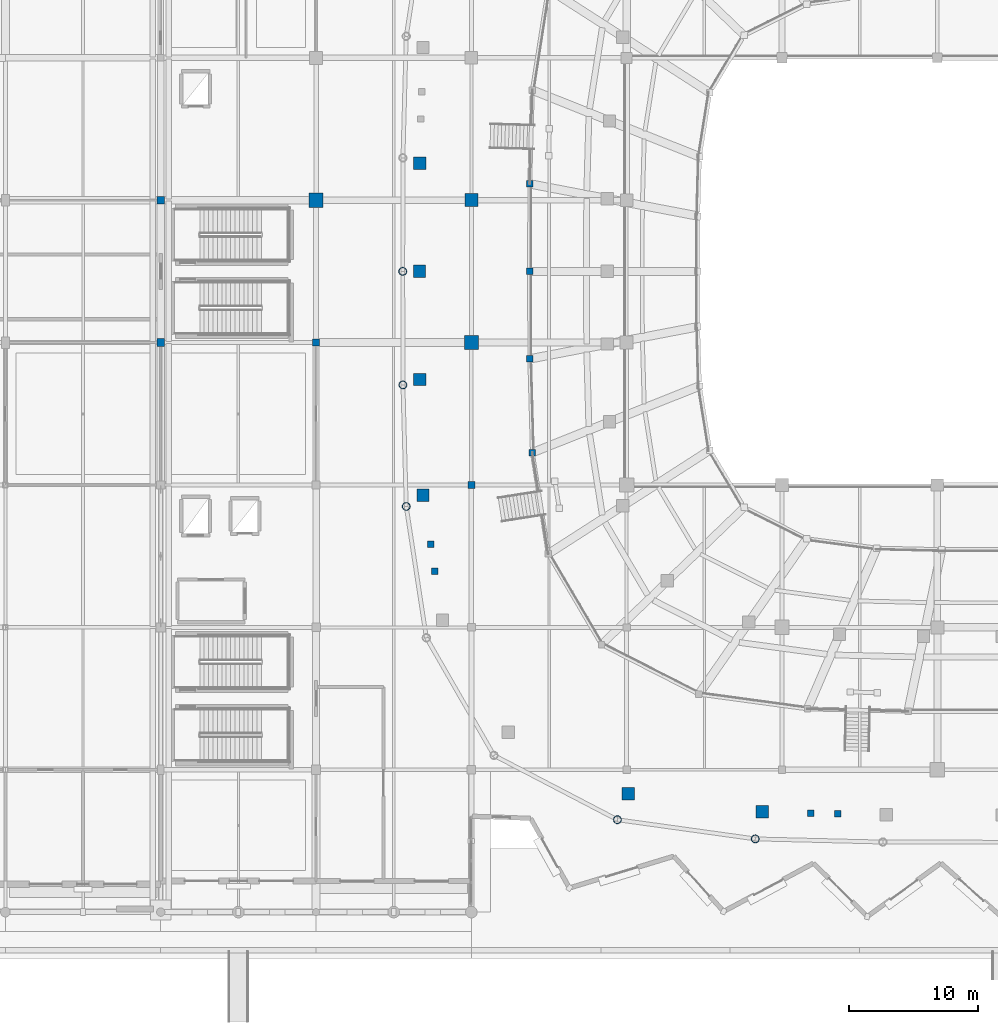
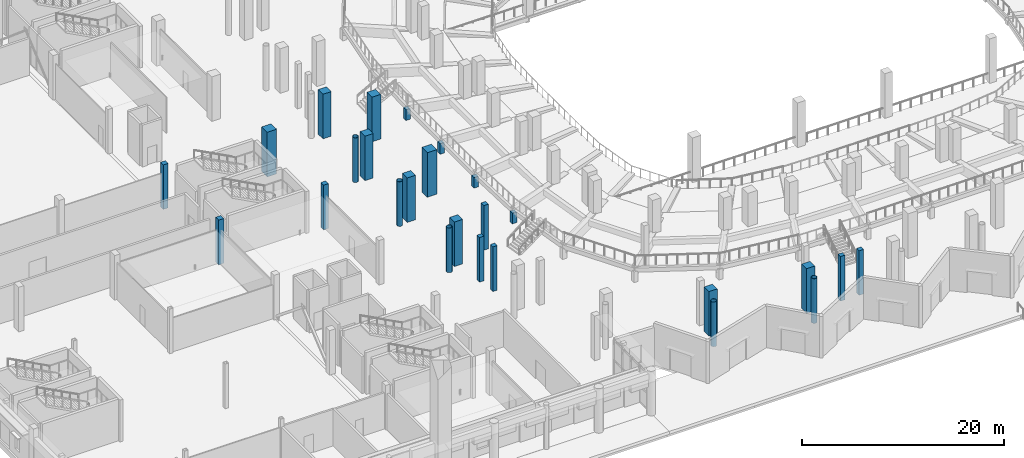
# One storey, part 4 of 120: 26 columns.
"""IFC4 building model written with IfcOpenShell, lengths in metres."""

from ifc_helpers import new_model, si_unit, direction, frame, origin, origin_2d, place, context, subcontext, project, spatial, rectangle, hollow_circle, extrude, material, material_profile, profile_set, type_object, element, save


model = new_model("IFC4")

# Units and contexts
model_context = context("Model", 3, precision=1e-05, world=origin(), true_north=direction((0.0, 1.0)))
body_context = subcontext(model_context, "Body", "Model", "MODEL_VIEW")
ifc_project = project(units=[si_unit("LENGTHUNIT", "METRE"), si_unit("AREAUNIT", "SQUARE_METRE"), si_unit("VOLUMEUNIT", "CUBIC_METRE"), si_unit("PLANEANGLEUNIT", "RADIAN"), si_unit("MASSUNIT", "GRAM", prefix="KILO")], contexts=[model_context])

# Site, building, storey
site_placement = place(None, origin())
site = spatial("IfcSite", under=ifc_project, at=site_placement, CompositionType="ELEMENT")
building_placement = place(site_placement, origin())
building = spatial("IfcBuilding", under=site, at=building_placement, Name="Luwafu Chhajja Arena", CompositionType="ELEMENT")
storey_placement = place(building_placement, origin())
storey = spatial("IfcBuildingStorey", under=building, at=storey_placement, Name="L00", CompositionType="ELEMENT", Elevation=0.0)

# Columns
ifc_material_1 = material(Name="Concrete C40/50", Category="concrete")
ifc_material_profile_1 = material_profile(ifc_material_1, rectangle(XDim=1.0, YDim=1.0, at=origin_2d()), Name="RC 1000x1000")
ifc_profile_set_1 = profile_set([ifc_material_profile_1], Name="Concrete C40/50")
column_type_1 = type_object("IfcColumnType", Name="Bowl Primary Column RC 1000", PredefinedType="COLUMN", material=ifc_profile_set_1)
column_1_placement = place(storey_placement, frame((58.0, 55.0, 0.0), z_axis=(0.0, 0.0, 1.0), x_axis=(1.0, 0.0, 0.0)))
element("IfcColumn", 1, at=column_1_placement, inside=storey, type_object=column_type_1, Name="L00 Grid Column 6/F", PredefinedType="COLUMN", context=body_context, shape_type="SweptSolid", body=[
    extrude(rectangle(XDim=1.0, YDim=1.0, at=origin_2d()), origin(), (0.0, 0.0, 1.0), 5.39990234375),
])
ifc_material_profile_2 = material_profile(ifc_material_1, rectangle(XDim=0.949951171875, YDim=0.949951171875, at=origin_2d()), Name="RC 950x950")
ifc_profile_set_2 = profile_set([ifc_material_profile_2], Name="Concrete C40/50")
column_type_2 = type_object("IfcColumnType", Name="Bowl Raker Support Column RC 950", PredefinedType="COLUMN", material=ifc_profile_set_2)
for number, where, z_axis, x_axis, name in (
    (2, (54.01220703125, 57.85205078125, 0.0), (0.0, 0.0, 1.0), (1.0, 0.0, 0.0), "L00 Upper Bowl Raker Column UO16"),
    (3, (54.0, 49.5, 0.0), (0.0, 0.0, 1.0), (1.0, 0.0, 0.0), "L00 Upper Bowl Raker Column UO17"),
    (4, (54.01220703125, 41.14794921875, 0.0), (0.0, 0.0, 1.0), (1.0, 0.0, 0.0), "L00 Upper Bowl Raker Column UO18"),
    (5, (54.260498046875, 32.20361328125, 0.0), (0.0, 0.0, 1.0), (1.0, 0.0, 0.0), "L00 Upper Bowl Raker Column UO19"),
    (6, (70.116455078125, 9.154541015625, 0.0), (0.0, 0.0, 1.0), (1.0, 0.0, 0.0), "L00 Upper Bowl Raker Column UO22"),
    (7, (80.46826171875, 7.7431640625, 0.0), (0.0, 0.0, 1.0), (1.0, 0.0, 0.0), "L00 Upper Bowl Raker Column UO23"),
):
    element("IfcColumn", number, at=place(storey_placement, frame(where, z_axis=z_axis, x_axis=x_axis)), inside=storey, type_object=column_type_2, Name=name, PredefinedType="COLUMN", context=body_context, shape_type="SweptSolid", body=[
        extrude(rectangle(XDim=0.949951171875, YDim=0.949951171875, at=origin_2d()), origin(), (0.0, 0.0, 1.0), 5.39990234375),
    ])
ifc_material_profile_3 = material_profile(ifc_material_1, rectangle(XDim=1.10009765625, YDim=1.10009765625, at=origin_2d()), Name="RC 1100x1100")
ifc_profile_set_3 = profile_set([ifc_material_profile_3], Name="Concrete C40/50")
column_type_3 = type_object("IfcColumnType", Name="Bowl Rim Mega Column RC 1100", PredefinedType="COLUMN", material=ifc_profile_set_3)
for number, where, z_axis, x_axis, name in (
    (8, (46.0, 55.0, 0.0), (0.0, 0.0, 1.0), (1.0, 0.0, 0.0), "L00 Grid Column 5/F"),
    (9, (58.0, 44.0, 0.0), (0.0, 0.0, 1.0), (1.0, 0.0, 0.0), "L00 Grid Column 6/E"),
):
    element("IfcColumn", number, at=place(storey_placement, frame(where, z_axis=z_axis, x_axis=x_axis)), inside=storey, type_object=column_type_3, Name=name, PredefinedType="COLUMN", context=body_context, shape_type="SweptSolid", body=[
        extrude(rectangle(XDim=1.10009765625, YDim=1.10009765625, at=origin_2d()), origin(), (0.0, 0.0, 1.0), 5.39990234375),
    ])
ifc_material_2 = material(Name="Concrete C35/45", Category="concrete")
ifc_material_profile_4 = material_profile(ifc_material_2, rectangle(XDim=0.550048828125, YDim=0.550048828125, at=origin_2d()), Name="RC 550x550")
ifc_profile_set_4 = profile_set([ifc_material_profile_4], Name="Concrete C35/45")
column_type_4 = type_object("IfcColumnType", Name="Gallery Column RC 550", PredefinedType="COLUMN", material=ifc_profile_set_4)
for number, where, z_axis, x_axis, name in (
    (10, (34.0, 55.0, 0.0), (0.0, 0.0, 1.0), (1.0, 0.0, 0.0), "L00 Grid Column 4/F"),
    (11, (46.0, 44.0, 0.0), (0.0, 0.0, 1.0), (1.0, 0.0, 0.0), "L00 Grid Column 5/E"),
    (12, (58.0, 33.0, 0.0), (0.0, 0.0, 1.0), (1.0, 0.0, 0.0), "L00 Grid Column 6/D"),
):
    element("IfcColumn", number, at=place(storey_placement, frame(where, z_axis=z_axis, x_axis=x_axis)), inside=storey, type_object=column_type_4, Name=name, PredefinedType="COLUMN", context=body_context, shape_type="SweptSolid", body=[
        extrude(rectangle(XDim=0.550048828125, YDim=0.550048828125, at=origin_2d()), origin(), (0.0, 0.0, 1.0), 5.39990234375),
    ])
ifc_material_profile_5 = material_profile(ifc_material_2, rectangle(XDim=0.60009765625, YDim=0.60009765625, at=origin_2d()), Name="RC 600x600")
ifc_profile_set_5 = profile_set([ifc_material_profile_5], Name="Concrete C35/45")
column_type_5 = type_object("IfcColumnType", Name="Mezzanine Column RC 600", PredefinedType="COLUMN", material=ifc_profile_set_5)
column_2_placement = place(storey_placement, frame((34.0, 44.0, 0.0), z_axis=(0.0, 0.0, 1.0), x_axis=(1.0, 0.0, 0.0)))
element("IfcColumn", 13, at=column_2_placement, inside=storey, type_object=column_type_5, Name="L00 Grid Column 4/E", PredefinedType="COLUMN", context=body_context, shape_type="SweptSolid", body=[
    extrude(rectangle(XDim=0.60009765625, YDim=0.60009765625, at=origin_2d()), origin(), (0.0, 0.0, 1.0), 5.39990234375),
])
ifc_material_profile_6 = material_profile(ifc_material_2, rectangle(XDim=0.5, YDim=0.5, at=origin_2d()), Name="RC 500x500")
ifc_profile_set_6 = profile_set([ifc_material_profile_6], Name="Concrete C35/45")
column_type_6 = type_object("IfcColumnType", Name="Pavilion Column RC 500", PredefinedType="COLUMN", material=ifc_profile_set_6)
for number, where, z_axis, x_axis, name in (
    (14, (62.509765625, 56.26123046875, 0.0), (0.0, 0.0, 1.0), (1.0, 0.0, 0.0), "L00 Raker Heel Plinth 16"),
    (15, (62.5, 49.5, 0.0), (0.0, 0.0, 1.0), (1.0, 0.0, 0.0), "L00 Raker Heel Plinth 17"),
    (16, (62.509765625, 42.73876953125, 0.0), (0.0, 0.0, 1.0), (1.0, 0.0, 0.0), "L00 Raker Heel Plinth 18"),
    (17, (62.711181640625, 35.498291015625, 0.0), (0.0, 0.0, 1.0), (1.0, 0.0, 0.0), "L00 Raker Heel Plinth 19"),
):
    element("IfcColumn", number, at=place(storey_placement, frame(where, z_axis=z_axis, x_axis=x_axis)), inside=storey, type_object=column_type_6, Name=name, PredefinedType="COLUMN", context=body_context, shape_type="SweptSolid", body=[
        extrude(rectangle(XDim=0.5, YDim=0.5, at=origin_2d()), origin(), (0.0, 0.0, 1.0), 1.280029296875),
    ])
for number, where, z_axis, x_axis, name in (
    (18, (54.854248046875, 28.41015625, 0.0), (0.0, 0.0, 1.0), (1.0, 0.0, 0.0), "L00 Vomitory Stack Column VU19A"),
    (19, (55.178955078125, 26.33544921875, 0.0), (0.0, 0.0, 1.0), (1.0, 0.0, 0.0), "L00 Vomitory Stack Column VU19B"),
    (20, (84.210205078125, 7.652587890625, 0.0), (0.0, 0.0, 1.0), (1.0, 0.0, 0.0), "L00 Vomitory Stack Column VU23A"),
    (21, (86.3095703125, 7.601806640625, 0.0), (0.0, 0.0, 1.0), (1.0, 0.0, 0.0), "L00 Vomitory Stack Column VU23B"),
):
    element("IfcColumn", number, at=place(storey_placement, frame(where, z_axis=z_axis, x_axis=x_axis)), inside=storey, type_object=column_type_6, Name=name, PredefinedType="COLUMN", context=body_context, shape_type="SweptSolid", body=[
        extrude(rectangle(XDim=0.5, YDim=0.5, at=origin_2d()), origin(), (0.0, 0.0, 1.0), 5.39990234375),
    ])
ifc_material_3 = material(Name="Steel S355", Category="steel")
ifc_material_profile_7 = material_profile(ifc_material_3, hollow_circle(Radius=0.304931640625, WallThickness=0.02490234375, at=origin_2d()), Name="CHS 610x25")
ifc_profile_set_7 = profile_set([ifc_material_profile_7], Name="Steel S355")
column_type_7 = type_object("IfcColumnType", Name="Steel Bowl Drum Column CHS 610", PredefinedType="COLUMN", material=ifc_profile_set_7)
for number, where, z_axis, x_axis, name in (
    (22, (52.699951171875, 49.5, 0.0), (0.0, 0.0, 1.0), (1.0, 0.0, 0.0), "L00 Bowl Drum Column D17"),
    (23, (52.71240234375, 40.730224609375, 0.0), (0.0, 0.0, 1.0), (1.0, 0.0, 0.0), "L00 Bowl Drum Column D18"),
    (24, (52.968017578125, 31.3388671875, 0.0), (0.0, 0.0, 1.0), (1.0, 0.0, 0.0), "L00 Bowl Drum Column D19"),
    (25, (69.281982421875, 7.13720703125, 0.0), (0.0, 0.0, 1.0), (1.0, 0.0, 0.0), "L00 Bowl Drum Column D22"),
    (26, (79.932861328125, 5.6552734375, 0.0), (0.0, 0.0, 1.0), (1.0, 0.0, 0.0), "L00 Bowl Drum Column D23"),
):
    element("IfcColumn", number, at=place(storey_placement, frame(where, z_axis=z_axis, x_axis=x_axis)), inside=storey, type_object=column_type_7, Name=name, PredefinedType="COLUMN", context=body_context, shape_type="SweptSolid", body=[
        extrude(hollow_circle(Radius=0.304931640625, WallThickness=0.02490234375, at=origin_2d()), origin(), (0.0, 0.0, 1.0), 5.39990234375),
    ])

save(model, "model.ifc")
